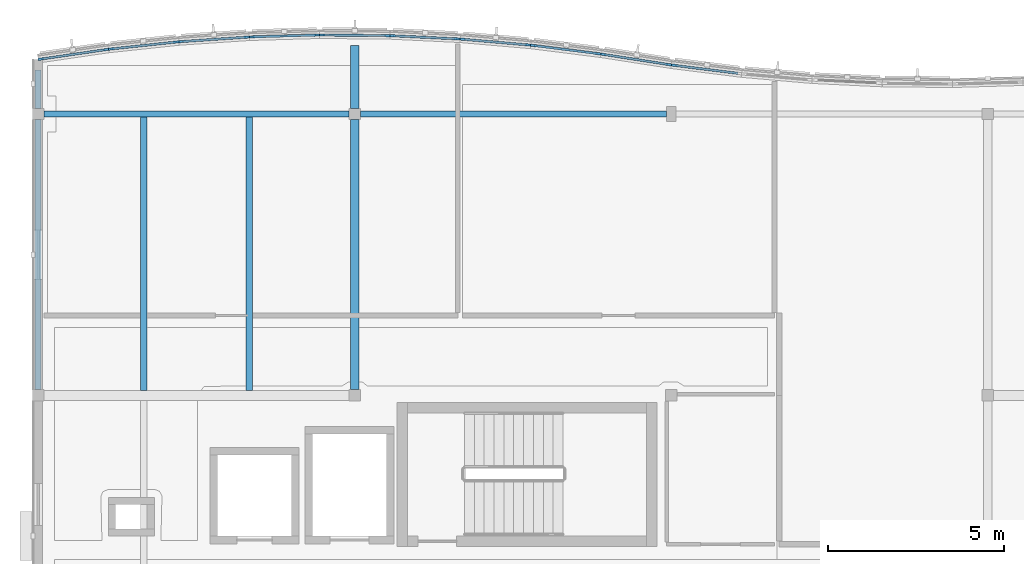
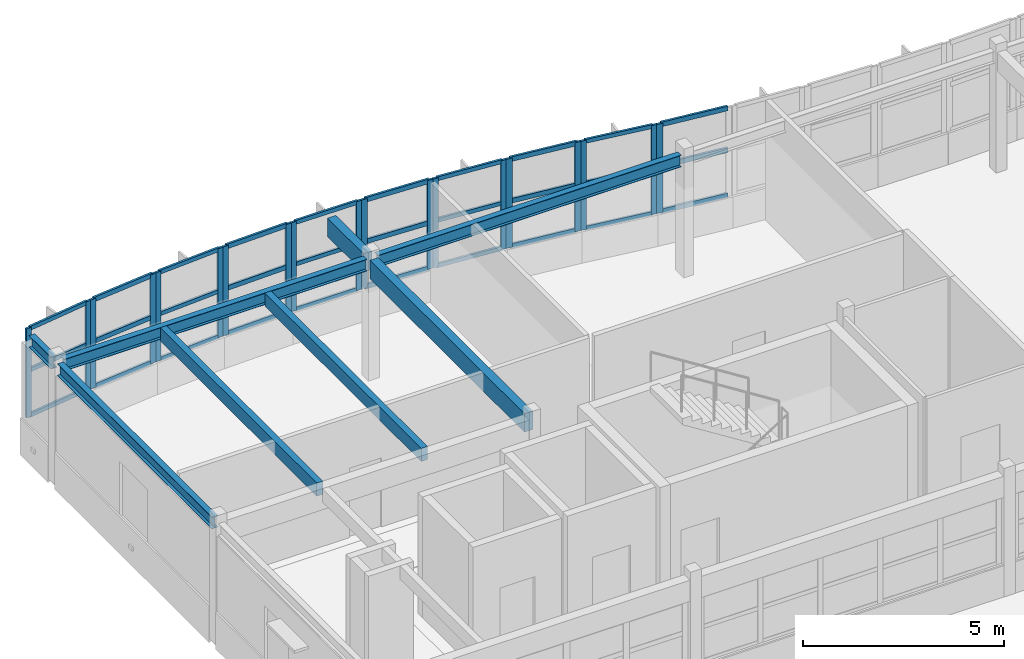
# One storey, part 4 of 33: 49 members, 8 beams, 10 elements without a shape of their own.
"""IFC4 building model written with IfcOpenShell, lengths in metres."""

from ifc_helpers import new_model, si_unit, direction, frame, origin, origin_2d, place, context, subcontext, project, spatial, rectangle, i_section, extrude, material, layer, layer_set, material_profile, profile_set, type_object, element, aggregate, save


model = new_model("IFC4")

# Units and contexts
model_context = context("Model", 3, precision=1e-05, world=origin(), true_north=direction((0.0, 1.0)))
body_context = subcontext(model_context, "Body", "Model", "MODEL_VIEW")
ifc_project = project(units=[si_unit("LENGTHUNIT", "METRE"), si_unit("AREAUNIT", "SQUARE_METRE"), si_unit("VOLUMEUNIT", "CUBIC_METRE"), si_unit("PLANEANGLEUNIT", "RADIAN"), si_unit("MASSUNIT", "GRAM", prefix="KILO")], contexts=[model_context])

# Site, building, storey
site_placement = place(None, origin())
site = spatial("IfcSite", under=ifc_project, at=site_placement, CompositionType="ELEMENT")
building_placement = place(site_placement, origin())
building = spatial("IfcBuilding", under=site, at=building_placement, Name="Tonlespit Floodbar School", CompositionType="ELEMENT")
storey_placement = place(building_placement, frame((0.0, 0.0, 16.199951171875)))
storey = spatial("IfcBuildingStorey", under=building, at=storey_placement, Name="L04", CompositionType="ELEMENT", Elevation=16.199951171875)

# Beams
ifc_material_1 = material(Name="Glulam GL28h", Category="wood")
ifc_material_profile_1 = material_profile(ifc_material_1, rectangle(XDim=0.239990234375, YDim=0.56005859375, at=origin_2d()), Name="GL 240x560")
ifc_profile_set_1 = profile_set([ifc_material_profile_1], Name="Glulam GL28h")
beam_type_1 = type_object("IfcBeamType", Name="Beam_GL_240x560", PredefinedType="BEAM", material=ifc_profile_set_1)
beam_1_placement = place(storey_placement, frame((53.0, 112.159912109375, 3.3701171875), z_axis=(0.0, 1.0, 0.0), x_axis=(-1.0, 0.0, 0.0)))
element("IfcBeam", 1, at=beam_1_placement, inside=storey, type_object=beam_type_1, Name="L04 girder 1311", PredefinedType="BEAM", context=body_context, shape_type="SweptSolid", body=[
    extrude(rectangle(XDim=0.239990234375, YDim=0.56005859375, at=origin_2d()), origin(), (0.0, 0.0, 1.0), 7.68017578125),
])
beam_2_placement = place(storey_placement, frame((53.0, 120.159912109375, 3.3701171875), z_axis=(0.0, 1.0, 0.0), x_axis=(-1.0, 0.0, 0.0)))
element("IfcBeam", 2, at=beam_2_placement, inside=storey, type_object=beam_type_1, Name="L04 north street wave cantilever bracket", PredefinedType="BEAM", context=body_context, shape_type="SweptSolid", body=[
    extrude(rectangle(XDim=0.239990234375, YDim=0.56005859375, at=origin_2d()), origin(), (0.0, 0.0, 1.0), 1.787109375),
])

# Curtain wall, members
ifc_material_2 = material(Name="Anodised Aluminium", Category="aluminium")
ifc_layer_1 = layer(ifc_material_2, 0.159912109375)
ifc_layer_set_1 = layer_set([ifc_layer_1], Name="Anodised Aluminium")
curtain_wall_type_1 = type_object("IfcCurtainWallType", Name="CurtainWall_1950x2700", PredefinedType="NOTDEFINED", material=ifc_layer_set_1)
curtain_wall_1_placement = place(storey_placement, origin())
curtain_wall_1 = element("IfcCurtainWall", 3, at=curtain_wall_1_placement, inside=storey, type_object=curtain_wall_type_1, Name="L04 unitised curtain wall 0166", PredefinedType="NOTDEFINED")
ifc_material_profile_2 = material_profile(ifc_material_2, rectangle(XDim=0.06494140625, YDim=0.14990234375, at=origin_2d()), Name="ALU M65x150")
ifc_profile_set_2 = profile_set([ifc_material_profile_2], Name="Anodised Aluminium")
member_type_1 = type_object("IfcMemberType", Name="CW_Mullion_65x150", PredefinedType="MULLION", material=ifc_profile_set_2)
member_1_placement = place(storey_placement, frame((44.07177734375, 121.560546875, 0.949951171875), z_axis=(0.0, 0.0, 1.0), x_axis=(-0.144248041079, 0.989541561858, 0.0)))
member_1 = element("IfcMember", 4, at=member_1_placement, type_object=member_type_1, Name="CW-04 mullion 1", PredefinedType="MULLION", context=body_context, shape_type="SweptSolid", body=[
    extrude(rectangle(XDim=0.06494140625, YDim=0.14990234375, at=origin_2d()), origin(), (0.0, 0.0, 1.0), 2.7001953125),
])
member_2_placement = place(storey_placement, frame((45.92822265625, 121.8310546875, 0.949951171875), z_axis=(0.0, 0.0, 1.0), x_axis=(-0.144248041079, 0.989541561858, 0.0)))
member_2 = element("IfcMember", 5, at=member_2_placement, type_object=member_type_1, Name="CW-04 mullion 2", PredefinedType="MULLION", context=body_context, shape_type="SweptSolid", body=[
    extrude(rectangle(XDim=0.06494140625, YDim=0.14990234375, at=origin_2d()), origin(), (0.0, 0.0, 1.0), 2.7001953125),
])

ifc_layer_2 = layer(ifc_material_2, 0.159912109375)
ifc_layer_set_2 = layer_set([ifc_layer_2], Name="Anodised Aluminium")
curtain_wall_type_2 = type_object("IfcCurtainWallType", Name="CurtainWall_1900x2700", PredefinedType="NOTDEFINED", material=ifc_layer_set_2)
curtain_wall_2_placement = place(storey_placement, origin())
curtain_wall_2 = element("IfcCurtainWall", 6, at=curtain_wall_2_placement, inside=storey, type_object=curtain_wall_type_2, Name="L04 unitised curtain wall 0168", PredefinedType="NOTDEFINED")
member_3_placement = place(storey_placement, frame((48.072265625, 122.05908203125, 0.949951171875), z_axis=(0.0, 0.0, 1.0), x_axis=(-0.067339767311, 0.99773010165, 0.0)))
member_3 = element("IfcMember", 7, at=member_3_placement, type_object=member_type_1, Name="CW-05 mullion 1", PredefinedType="MULLION", context=body_context, shape_type="SweptSolid", body=[
    extrude(rectangle(XDim=0.06494140625, YDim=0.14990234375, at=origin_2d()), origin(), (0.0, 0.0, 1.0), 2.7001953125),
])
member_4_placement = place(storey_placement, frame((49.927734375, 122.184326171875, 0.949951171875), z_axis=(0.0, 0.0, 1.0), x_axis=(-0.067339767311, 0.99773010165, 0.0)))
member_4 = element("IfcMember", 8, at=member_4_placement, type_object=member_type_1, Name="CW-05 mullion 2", PredefinedType="MULLION", context=body_context, shape_type="SweptSolid", body=[
    extrude(rectangle(XDim=0.06494140625, YDim=0.14990234375, at=origin_2d()), origin(), (0.0, 0.0, 1.0), 2.7001953125),
])

curtain_wall_3_placement = place(storey_placement, origin())
curtain_wall_3 = element("IfcCurtainWall", 9, at=curtain_wall_3_placement, inside=storey, type_object=curtain_wall_type_2, Name="L04 unitised curtain wall 0170", PredefinedType="NOTDEFINED")
member_5_placement = place(storey_placement, frame((52.072509765625, 122.246337890625, 0.949951171875), z_axis=(0.0, 0.0, 1.0), x_axis=(0.009582893292, 0.999954083024, 0.0)))
member_5 = element("IfcMember", 10, at=member_5_placement, type_object=member_type_1, Name="CW-05 mullion 1", PredefinedType="MULLION", context=body_context, shape_type="SweptSolid", body=[
    extrude(rectangle(XDim=0.06494140625, YDim=0.14990234375, at=origin_2d()), origin(), (0.0, 0.0, 1.0), 2.7001953125),
])
member_6_placement = place(storey_placement, frame((53.927490234375, 122.228515625, 0.949951171875), z_axis=(0.0, 0.0, 1.0), x_axis=(0.009582893292, 0.999954083024, 0.0)))
member_6 = element("IfcMember", 11, at=member_6_placement, type_object=member_type_1, Name="CW-05 mullion 2", PredefinedType="MULLION", context=body_context, shape_type="SweptSolid", body=[
    extrude(rectangle(XDim=0.06494140625, YDim=0.14990234375, at=origin_2d()), origin(), (0.0, 0.0, 1.0), 2.7001953125),
])

curtain_wall_4_placement = place(storey_placement, origin())
curtain_wall_4 = element("IfcCurtainWall", 12, at=curtain_wall_4_placement, inside=storey, type_object=curtain_wall_type_1, Name="L04 unitised curtain wall 0172", PredefinedType="NOTDEFINED")
member_7_placement = place(storey_placement, frame((56.072265625, 122.125244140625, 0.949951171875), z_axis=(0.0, 0.0, 1.0), x_axis=(0.086531117454, 0.996249148412, 0.0)))
member_7 = element("IfcMember", 13, at=member_7_placement, type_object=member_type_1, Name="CW-04 mullion 1", PredefinedType="MULLION", context=body_context, shape_type="SweptSolid", body=[
    extrude(rectangle(XDim=0.06494140625, YDim=0.14990234375, at=origin_2d()), origin(), (0.0, 0.0, 1.0), 2.7001953125),
])
member_8_placement = place(storey_placement, frame((57.927734375, 121.964111328125, 0.949951171875), z_axis=(0.0, 0.0, 1.0), x_axis=(0.086531117454, 0.996249148412, 0.0)))
member_8 = element("IfcMember", 14, at=member_8_placement, type_object=member_type_1, Name="CW-04 mullion 2", PredefinedType="MULLION", context=body_context, shape_type="SweptSolid", body=[
    extrude(rectangle(XDim=0.06494140625, YDim=0.14990234375, at=origin_2d()), origin(), (0.0, 0.0, 1.0), 2.7001953125),
])

curtain_wall_5_placement = place(storey_placement, origin())
curtain_wall_5 = element("IfcCurtainWall", 15, at=curtain_wall_5_placement, inside=storey, type_object=curtain_wall_type_1, Name="L04 unitised curtain wall 0174", PredefinedType="NOTDEFINED")
member_9_placement = place(storey_placement, frame((60.071533203125, 121.694580078125, 0.949951171875), z_axis=(0.0, 0.0, 1.0), x_axis=(0.153796288585, 0.988102576465, 0.0)))
member_9 = element("IfcMember", 16, at=member_9_placement, type_object=member_type_1, Name="CW-04 mullion 1", PredefinedType="MULLION", context=body_context, shape_type="SweptSolid", body=[
    extrude(rectangle(XDim=0.06494140625, YDim=0.14990234375, at=origin_2d()), origin(), (0.0, 0.0, 1.0), 2.7001953125),
])
member_10_placement = place(storey_placement, frame((61.928466796875, 121.405517578125, 0.949951171875), z_axis=(0.0, 0.0, 1.0), x_axis=(0.153796288585, 0.988102576465, 0.0)))
member_10 = element("IfcMember", 17, at=member_10_placement, type_object=member_type_1, Name="CW-04 mullion 2", PredefinedType="MULLION", context=body_context, shape_type="SweptSolid", body=[
    extrude(rectangle(XDim=0.06494140625, YDim=0.14990234375, at=origin_2d()), origin(), (0.0, 0.0, 1.0), 2.7001953125),
])

curtain_wall_6_placement = place(storey_placement, origin())
curtain_wall_6 = element("IfcCurtainWall", 18, at=curtain_wall_6_placement, inside=storey, type_object=curtain_wall_type_1, Name="L04 unitised curtain wall 0167", PredefinedType="NOTDEFINED")
ifc_material_profile_3 = material_profile(ifc_material_2, rectangle(XDim=0.06494140625, YDim=0.179931640625, at=origin_2d()), Name="ALU M65x180")
ifc_profile_set_3 = profile_set([ifc_material_profile_3], Name="Anodised Aluminium")
member_type_2 = type_object("IfcMemberType", Name="CW_Mullion_65x180", PredefinedType="MULLION", material=ifc_profile_set_3)
member_11_placement = place(storey_placement, frame((46.072021484375, 121.84912109375, 0.949951171875), z_axis=(0.0, 0.0, 1.0), x_axis=(-0.105787143968, 0.994388797288, 0.0)))
member_11 = element("IfcMember", 19, at=member_11_placement, type_object=member_type_2, Name="CW-04 mullion 1", PredefinedType="MULLION", context=body_context, shape_type="SweptSolid", body=[
    extrude(rectangle(XDim=0.06494140625, YDim=0.179931640625, at=origin_2d()), origin(), (0.0, 0.0, 1.0), 2.7001953125),
])
member_12_placement = place(storey_placement, frame((47.927978515625, 122.046630859375, 0.949951171875), z_axis=(0.0, 0.0, 1.0), x_axis=(-0.105787143968, 0.994388797288, 0.0)))
member_12 = element("IfcMember", 20, at=member_12_placement, type_object=member_type_2, Name="CW-04 mullion 2", PredefinedType="MULLION", context=body_context, shape_type="SweptSolid", body=[
    extrude(rectangle(XDim=0.06494140625, YDim=0.179931640625, at=origin_2d()), origin(), (0.0, 0.0, 1.0), 2.7001953125),
])

curtain_wall_7_placement = place(storey_placement, origin())
curtain_wall_7 = element("IfcCurtainWall", 21, at=curtain_wall_7_placement, inside=storey, type_object=curtain_wall_type_2, Name="L04 unitised curtain wall 0169", PredefinedType="NOTDEFINED")
member_13_placement = place(storey_placement, frame((50.072509765625, 122.19140625, 0.949951171875), z_axis=(0.0, 0.0, 1.0), x_axis=(-0.028790144226, 0.999585477883, 0.0)))
member_13 = element("IfcMember", 22, at=member_13_placement, type_object=member_type_2, Name="CW-05 mullion 1", PredefinedType="MULLION", context=body_context, shape_type="SweptSolid", body=[
    extrude(rectangle(XDim=0.06494140625, YDim=0.179931640625, at=origin_2d()), origin(), (0.0, 0.0, 1.0), 2.7001953125),
])
member_14_placement = place(storey_placement, frame((51.927490234375, 122.244873046875, 0.949951171875), z_axis=(0.0, 0.0, 1.0), x_axis=(-0.028790144226, 0.999585477883, 0.0)))
member_14 = element("IfcMember", 23, at=member_14_placement, type_object=member_type_2, Name="CW-05 mullion 2", PredefinedType="MULLION", context=body_context, shape_type="SweptSolid", body=[
    extrude(rectangle(XDim=0.06494140625, YDim=0.179931640625, at=origin_2d()), origin(), (0.0, 0.0, 1.0), 2.7001953125),
])

curtain_wall_8_placement = place(storey_placement, origin())
curtain_wall_8 = element("IfcCurtainWall", 24, at=curtain_wall_8_placement, inside=storey, type_object=curtain_wall_type_2, Name="L04 unitised curtain wall 0171", PredefinedType="NOTDEFINED")
member_15_placement = place(storey_placement, frame((54.072509765625, 122.224365234375, 0.949951171875), z_axis=(0.0, 0.0, 1.0), x_axis=(0.048121270216, 0.998841500616, 0.0)))
member_15 = element("IfcMember", 25, at=member_15_placement, type_object=member_type_2, Name="CW-05 mullion 1", PredefinedType="MULLION", context=body_context, shape_type="SweptSolid", body=[
    extrude(rectangle(XDim=0.06494140625, YDim=0.179931640625, at=origin_2d()), origin(), (0.0, 0.0, 1.0), 2.7001953125),
])
member_16_placement = place(storey_placement, frame((55.927490234375, 122.135009765625, 0.949951171875), z_axis=(0.0, 0.0, 1.0), x_axis=(0.048121270216, 0.998841500616, 0.0)))
member_16 = element("IfcMember", 26, at=member_16_placement, type_object=member_type_2, Name="CW-05 mullion 2", PredefinedType="MULLION", context=body_context, shape_type="SweptSolid", body=[
    extrude(rectangle(XDim=0.06494140625, YDim=0.179931640625, at=origin_2d()), origin(), (0.0, 0.0, 1.0), 2.7001953125),
])

curtain_wall_9_placement = place(storey_placement, origin())
curtain_wall_9 = element("IfcCurtainWall", 27, at=curtain_wall_9_placement, inside=storey, type_object=curtain_wall_type_1, Name="L04 unitised curtain wall 0173", PredefinedType="NOTDEFINED")
member_17_placement = place(storey_placement, frame((58.072021484375, 121.94873046875, 0.949951171875), z_axis=(0.0, 0.0, 1.0), x_axis=(0.125013803299, 0.992155002499, 0.0)))
member_17 = element("IfcMember", 28, at=member_17_placement, type_object=member_type_2, Name="CW-04 mullion 1", PredefinedType="MULLION", context=body_context, shape_type="SweptSolid", body=[
    extrude(rectangle(XDim=0.06494140625, YDim=0.179931640625, at=origin_2d()), origin(), (0.0, 0.0, 1.0), 2.7001953125),
])
member_18_placement = place(storey_placement, frame((59.927978515625, 121.71484375, 0.949951171875), z_axis=(0.0, 0.0, 1.0), x_axis=(0.125013803299, 0.992155002499, 0.0)))
member_18 = element("IfcMember", 29, at=member_18_placement, type_object=member_type_2, Name="CW-04 mullion 2", PredefinedType="MULLION", context=body_context, shape_type="SweptSolid", body=[
    extrude(rectangle(XDim=0.06494140625, YDim=0.179931640625, at=origin_2d()), origin(), (0.0, 0.0, 1.0), 2.7001953125),
])

# Curtain wall, member
curtain_wall_10_placement = place(storey_placement, origin())
curtain_wall_10 = element("IfcCurtainWall", 30, at=curtain_wall_10_placement, inside=storey, type_object=curtain_wall_type_1, Name="L04 unitised curtain wall 0175", PredefinedType="NOTDEFINED")
member_19_placement = place(storey_placement, frame((62.072021484375, 121.38525390625, 0.949951171875), z_axis=(0.0, 0.0, 1.0), x_axis=(0.125013803299, 0.992155002499, 0.0)))
member_19 = element("IfcMember", 31, at=member_19_placement, type_object=member_type_2, Name="CW-04 mullion 1", PredefinedType="MULLION", context=body_context, shape_type="SweptSolid", body=[
    extrude(rectangle(XDim=0.06494140625, YDim=0.179931640625, at=origin_2d()), origin(), (0.0, 0.0, 1.0), 2.7001953125),
])

# Member
ifc_material_profile_4 = material_profile(ifc_material_2, rectangle(XDim=0.06494140625, YDim=0.1201171875, at=origin_2d()), Name="ALU T65x120")
ifc_profile_set_4 = profile_set([ifc_material_profile_4], Name="Anodised Aluminium")
member_type_3 = type_object("IfcMemberType", Name="CW_Transom_65x120", PredefinedType="USERDEFINED", material=ifc_profile_set_4)
member_20_placement = place(storey_placement, frame((44.10400390625, 121.565185546875, 0.982666015625), z_axis=(0.989541000818, 0.144251889765, 0.0), x_axis=(-0.144251889765, 0.989541000818, 0.0)))
member_20 = element("IfcMember", 32, at=member_20_placement, type_object=member_type_3, Name="CW-04 transom 1.1", ObjectType="TRANSOM", PredefinedType="USERDEFINED", context=body_context, shape_type="SweptSolid", body=[
    extrude(rectangle(XDim=0.06494140625, YDim=0.1201171875, at=origin_2d()), origin(), (0.0, 0.0, 1.0), 1.81103515625),
])

member_21_placement = place(storey_placement, frame((44.10400390625, 121.565185546875, 2.35400390625), z_axis=(0.989541000818, 0.144251889765, 0.0), x_axis=(-0.144251889765, 0.989541000818, 0.0)))
member_21 = element("IfcMember", 33, at=member_21_placement, type_object=member_type_3, Name="CW-04 transom 1.2", ObjectType="TRANSOM", PredefinedType="USERDEFINED", context=body_context, shape_type="SweptSolid", body=[
    extrude(rectangle(XDim=0.06494140625, YDim=0.1201171875, at=origin_2d()), origin(), (0.0, 0.0, 1.0), 1.81103515625),
])

member_22_placement = place(storey_placement, frame((44.10400390625, 121.565185546875, 3.617431640625), z_axis=(0.989541000818, 0.144251889765, 0.0), x_axis=(-0.144251889765, 0.989541000818, 0.0)))
member_22 = element("IfcMember", 34, at=member_22_placement, type_object=member_type_3, Name="CW-04 transom 1.3", ObjectType="TRANSOM", PredefinedType="USERDEFINED", context=body_context, shape_type="SweptSolid", body=[
    extrude(rectangle(XDim=0.06494140625, YDim=0.1201171875, at=origin_2d()), origin(), (0.0, 0.0, 1.0), 1.81103515625),
])

aggregate(curtain_wall_1, [member_1, member_2, member_20, member_21, member_22])

member_23_placement = place(storey_placement, frame((48.104736328125, 122.061279296875, 0.982666015625), z_axis=(0.997730041674, 0.067340655935, 0.0), x_axis=(-0.067340655935, 0.997730041674, 0.0)))
member_23 = element("IfcMember", 35, at=member_23_placement, type_object=member_type_3, Name="CW-05 transom 1.1", ObjectType="TRANSOM", PredefinedType="USERDEFINED", context=body_context, shape_type="SweptSolid", body=[
    extrude(rectangle(XDim=0.06494140625, YDim=0.1201171875, at=origin_2d()), origin(), (0.0, 0.0, 1.0), 1.794677734375),
])

member_24_placement = place(storey_placement, frame((48.104736328125, 122.061279296875, 2.35400390625), z_axis=(0.997730041674, 0.067340655935, 0.0), x_axis=(-0.067340655935, 0.997730041674, 0.0)))
member_24 = element("IfcMember", 36, at=member_24_placement, type_object=member_type_3, Name="CW-05 transom 1.2", ObjectType="TRANSOM", PredefinedType="USERDEFINED", context=body_context, shape_type="SweptSolid", body=[
    extrude(rectangle(XDim=0.06494140625, YDim=0.1201171875, at=origin_2d()), origin(), (0.0, 0.0, 1.0), 1.794677734375),
])

member_25_placement = place(storey_placement, frame((48.104736328125, 122.061279296875, 3.617431640625), z_axis=(0.997730041674, 0.067340655935, 0.0), x_axis=(-0.067340655935, 0.997730041674, 0.0)))
member_25 = element("IfcMember", 37, at=member_25_placement, type_object=member_type_3, Name="CW-05 transom 1.3", ObjectType="TRANSOM", PredefinedType="USERDEFINED", context=body_context, shape_type="SweptSolid", body=[
    extrude(rectangle(XDim=0.06494140625, YDim=0.1201171875, at=origin_2d()), origin(), (0.0, 0.0, 1.0), 1.794677734375),
])

aggregate(curtain_wall_2, [member_3, member_4, member_23, member_24, member_25])

member_26_placement = place(storey_placement, frame((52.10498046875, 122.24609375, 0.982666015625), z_axis=(0.999953117448, -0.009683124842, 0.0), x_axis=(0.009683124842, 0.999953117448, 0.0)))
member_26 = element("IfcMember", 38, at=member_26_placement, type_object=member_type_3, Name="CW-05 transom 1.1", ObjectType="TRANSOM", PredefinedType="USERDEFINED", context=body_context, shape_type="SweptSolid", body=[
    extrude(rectangle(XDim=0.06494140625, YDim=0.1201171875, at=origin_2d()), origin(), (0.0, 0.0, 1.0), 1.7900390625),
])

member_27_placement = place(storey_placement, frame((52.10498046875, 122.24609375, 2.35400390625), z_axis=(0.999953117448, -0.009683124842, 0.0), x_axis=(0.009683124842, 0.999953117448, 0.0)))
member_27 = element("IfcMember", 39, at=member_27_placement, type_object=member_type_3, Name="CW-05 transom 1.2", ObjectType="TRANSOM", PredefinedType="USERDEFINED", context=body_context, shape_type="SweptSolid", body=[
    extrude(rectangle(XDim=0.06494140625, YDim=0.1201171875, at=origin_2d()), origin(), (0.0, 0.0, 1.0), 1.7900390625),
])

member_28_placement = place(storey_placement, frame((52.10498046875, 122.24609375, 3.617431640625), z_axis=(0.999953117448, -0.009683124842, 0.0), x_axis=(0.009683124842, 0.999953117448, 0.0)))
member_28 = element("IfcMember", 40, at=member_28_placement, type_object=member_type_3, Name="CW-05 transom 1.3", ObjectType="TRANSOM", PredefinedType="USERDEFINED", context=body_context, shape_type="SweptSolid", body=[
    extrude(rectangle(XDim=0.06494140625, YDim=0.1201171875, at=origin_2d()), origin(), (0.0, 0.0, 1.0), 1.7900390625),
])

aggregate(curtain_wall_3, [member_5, member_6, member_26, member_27, member_28])

member_29_placement = place(storey_placement, frame((56.1044921875, 122.122314453125, 0.982666015625), z_axis=(0.996251281774, -0.086506552139, 0.0), x_axis=(0.086506552139, 0.996251281774, 0.0)))
member_29 = element("IfcMember", 41, at=member_29_placement, type_object=member_type_3, Name="CW-04 transom 1.1", ObjectType="TRANSOM", PredefinedType="USERDEFINED", context=body_context, shape_type="SweptSolid", body=[
    extrude(rectangle(XDim=0.06494140625, YDim=0.1201171875, at=origin_2d()), origin(), (0.0, 0.0, 1.0), 1.7978515625),
])

member_30_placement = place(storey_placement, frame((56.1044921875, 122.122314453125, 2.35400390625), z_axis=(0.996251281774, -0.086506552139, 0.0), x_axis=(0.086506552139, 0.996251281774, 0.0)))
member_30 = element("IfcMember", 42, at=member_30_placement, type_object=member_type_3, Name="CW-04 transom 1.2", ObjectType="TRANSOM", PredefinedType="USERDEFINED", context=body_context, shape_type="SweptSolid", body=[
    extrude(rectangle(XDim=0.06494140625, YDim=0.1201171875, at=origin_2d()), origin(), (0.0, 0.0, 1.0), 1.7978515625),
])

member_31_placement = place(storey_placement, frame((56.1044921875, 122.122314453125, 3.617431640625), z_axis=(0.996251281774, -0.086506552139, 0.0), x_axis=(0.086506552139, 0.996251281774, 0.0)))
member_31 = element("IfcMember", 43, at=member_31_placement, type_object=member_type_3, Name="CW-04 transom 1.3", ObjectType="TRANSOM", PredefinedType="USERDEFINED", context=body_context, shape_type="SweptSolid", body=[
    extrude(rectangle(XDim=0.06494140625, YDim=0.1201171875, at=origin_2d()), origin(), (0.0, 0.0, 1.0), 1.7978515625),
])

aggregate(curtain_wall_4, [member_7, member_8, member_29, member_30, member_31])

member_32_placement = place(storey_placement, frame((60.103759765625, 121.689453125, 0.982666015625), z_axis=(0.988097838313, -0.15382672694, 0.0), x_axis=(0.15382672694, 0.988097838313, 0.0)))
member_32 = element("IfcMember", 44, at=member_32_placement, type_object=member_type_3, Name="CW-04 transom 1.1", ObjectType="TRANSOM", PredefinedType="USERDEFINED", context=body_context, shape_type="SweptSolid", body=[
    extrude(rectangle(XDim=0.06494140625, YDim=0.1201171875, at=origin_2d()), origin(), (0.0, 0.0, 1.0), 1.81396484375),
])

member_33_placement = place(storey_placement, frame((60.103759765625, 121.689453125, 2.35400390625), z_axis=(0.988097838313, -0.15382672694, 0.0), x_axis=(0.15382672694, 0.988097838313, 0.0)))
member_33 = element("IfcMember", 45, at=member_33_placement, type_object=member_type_3, Name="CW-04 transom 1.2", ObjectType="TRANSOM", PredefinedType="USERDEFINED", context=body_context, shape_type="SweptSolid", body=[
    extrude(rectangle(XDim=0.06494140625, YDim=0.1201171875, at=origin_2d()), origin(), (0.0, 0.0, 1.0), 1.81396484375),
])

member_34_placement = place(storey_placement, frame((60.103759765625, 121.689453125, 3.617431640625), z_axis=(0.988097838313, -0.15382672694, 0.0), x_axis=(0.15382672694, 0.988097838313, 0.0)))
member_34 = element("IfcMember", 46, at=member_34_placement, type_object=member_type_3, Name="CW-04 transom 1.3", ObjectType="TRANSOM", PredefinedType="USERDEFINED", context=body_context, shape_type="SweptSolid", body=[
    extrude(rectangle(XDim=0.06494140625, YDim=0.1201171875, at=origin_2d()), origin(), (0.0, 0.0, 1.0), 1.81396484375),
])

aggregate(curtain_wall_5, [member_9, member_10, member_32, member_33, member_34])

ifc_material_profile_5 = material_profile(ifc_material_2, rectangle(XDim=0.06494140625, YDim=0.139892578125, at=origin_2d()), Name="ALU T65x140")
ifc_profile_set_5 = profile_set([ifc_material_profile_5], Name="Anodised Aluminium")
member_type_4 = type_object("IfcMemberType", Name="CW_Transom_65x140", PredefinedType="USERDEFINED", material=ifc_profile_set_5)
member_35_placement = place(storey_placement, frame((46.1044921875, 121.852783203125, 0.982666015625), z_axis=(0.994394979136, 0.105729019047, 0.0), x_axis=(-0.105729019047, 0.994394979136, 0.0)))
member_35 = element("IfcMember", 47, at=member_35_placement, type_object=member_type_4, Name="CW-04 transom 1.1", ObjectType="TRANSOM", PredefinedType="USERDEFINED", context=body_context, shape_type="SweptSolid", body=[
    extrude(rectangle(XDim=0.06494140625, YDim=0.139892578125, at=origin_2d()), origin(), (0.0, 0.0, 1.0), 1.801025390625),
])

member_36_placement = place(storey_placement, frame((46.1044921875, 121.852783203125, 2.35400390625), z_axis=(0.994394979136, 0.105729019047, 0.0), x_axis=(-0.105729019047, 0.994394979136, 0.0)))
member_36 = element("IfcMember", 48, at=member_36_placement, type_object=member_type_4, Name="CW-04 transom 1.2", ObjectType="TRANSOM", PredefinedType="USERDEFINED", context=body_context, shape_type="SweptSolid", body=[
    extrude(rectangle(XDim=0.06494140625, YDim=0.139892578125, at=origin_2d()), origin(), (0.0, 0.0, 1.0), 1.801025390625),
])

member_37_placement = place(storey_placement, frame((46.1044921875, 121.852783203125, 3.617431640625), z_axis=(0.994394979136, 0.105729019047, 0.0), x_axis=(-0.105729019047, 0.994394979136, 0.0)))
member_37 = element("IfcMember", 49, at=member_37_placement, type_object=member_type_4, Name="CW-04 transom 1.3", ObjectType="TRANSOM", PredefinedType="USERDEFINED", context=body_context, shape_type="SweptSolid", body=[
    extrude(rectangle(XDim=0.06494140625, YDim=0.139892578125, at=origin_2d()), origin(), (0.0, 0.0, 1.0), 1.801025390625),
])

aggregate(curtain_wall_6, [member_11, member_12, member_35, member_36, member_37])

member_38_placement = place(storey_placement, frame((50.10498046875, 122.1923828125, 0.982666015625), z_axis=(0.999586171543, 0.02876605049, 0.0), x_axis=(-0.02876605049, 0.999586171543, 0.0)))
member_38 = element("IfcMember", 50, at=member_38_placement, type_object=member_type_4, Name="CW-05 transom 1.1", ObjectType="TRANSOM", PredefinedType="USERDEFINED", context=body_context, shape_type="SweptSolid", body=[
    extrude(rectangle(XDim=0.06494140625, YDim=0.139892578125, at=origin_2d()), origin(), (0.0, 0.0, 1.0), 1.790771484375),
])

member_39_placement = place(storey_placement, frame((50.10498046875, 122.1923828125, 2.35400390625), z_axis=(0.999586171543, 0.02876605049, 0.0), x_axis=(-0.02876605049, 0.999586171543, 0.0)))
member_39 = element("IfcMember", 51, at=member_39_placement, type_object=member_type_4, Name="CW-05 transom 1.2", ObjectType="TRANSOM", PredefinedType="USERDEFINED", context=body_context, shape_type="SweptSolid", body=[
    extrude(rectangle(XDim=0.06494140625, YDim=0.139892578125, at=origin_2d()), origin(), (0.0, 0.0, 1.0), 1.790771484375),
])

member_40_placement = place(storey_placement, frame((50.10498046875, 122.1923828125, 3.617431640625), z_axis=(0.999586171543, 0.02876605049, 0.0), x_axis=(-0.02876605049, 0.999586171543, 0.0)))
member_40 = element("IfcMember", 52, at=member_40_placement, type_object=member_type_4, Name="CW-05 transom 1.3", ObjectType="TRANSOM", PredefinedType="USERDEFINED", context=body_context, shape_type="SweptSolid", body=[
    extrude(rectangle(XDim=0.06494140625, YDim=0.139892578125, at=origin_2d()), origin(), (0.0, 0.0, 1.0), 1.790771484375),
])

aggregate(curtain_wall_7, [member_13, member_14, member_38, member_39, member_40])

member_41_placement = place(storey_placement, frame((54.10498046875, 122.22265625, 0.982666015625), z_axis=(0.998843034795, -0.048089415069, 0.0), x_axis=(0.048089415069, 0.998843034795, 0.0)))
member_41 = element("IfcMember", 53, at=member_41_placement, type_object=member_type_4, Name="CW-05 transom 1.1", ObjectType="TRANSOM", PredefinedType="USERDEFINED", context=body_context, shape_type="SweptSolid", body=[
    extrude(rectangle(XDim=0.06494140625, YDim=0.139892578125, at=origin_2d()), origin(), (0.0, 0.0, 1.0), 1.7919921875),
])

member_42_placement = place(storey_placement, frame((54.10498046875, 122.22265625, 2.35400390625), z_axis=(0.998843034795, -0.048089415069, 0.0), x_axis=(0.048089415069, 0.998843034795, 0.0)))
member_42 = element("IfcMember", 54, at=member_42_placement, type_object=member_type_4, Name="CW-05 transom 1.2", ObjectType="TRANSOM", PredefinedType="USERDEFINED", context=body_context, shape_type="SweptSolid", body=[
    extrude(rectangle(XDim=0.06494140625, YDim=0.139892578125, at=origin_2d()), origin(), (0.0, 0.0, 1.0), 1.7919921875),
])

member_43_placement = place(storey_placement, frame((54.10498046875, 122.22265625, 3.617431640625), z_axis=(0.998843034795, -0.048089415069, 0.0), x_axis=(0.048089415069, 0.998843034795, 0.0)))
member_43 = element("IfcMember", 55, at=member_43_placement, type_object=member_type_4, Name="CW-05 transom 1.3", ObjectType="TRANSOM", PredefinedType="USERDEFINED", context=body_context, shape_type="SweptSolid", body=[
    extrude(rectangle(XDim=0.06494140625, YDim=0.139892578125, at=origin_2d()), origin(), (0.0, 0.0, 1.0), 1.7919921875),
])

aggregate(curtain_wall_8, [member_15, member_16, member_41, member_42, member_43])

member_44_placement = place(storey_placement, frame((58.104248046875, 121.944580078125, 0.982666015625), z_axis=(0.992148373735, -0.125066400341, 0.0), x_axis=(0.125066400341, 0.992148373735, 0.0)))
member_44 = element("IfcMember", 56, at=member_44_placement, type_object=member_type_4, Name="CW-04 transom 1.1", ObjectType="TRANSOM", PredefinedType="USERDEFINED", context=body_context, shape_type="SweptSolid", body=[
    extrude(rectangle(XDim=0.06494140625, YDim=0.139892578125, at=origin_2d()), origin(), (0.0, 0.0, 1.0), 1.8056640625),
])

member_45_placement = place(storey_placement, frame((58.104248046875, 121.944580078125, 2.35400390625), z_axis=(0.992148373735, -0.125066400341, 0.0), x_axis=(0.125066400341, 0.992148373735, 0.0)))
member_45 = element("IfcMember", 57, at=member_45_placement, type_object=member_type_4, Name="CW-04 transom 1.2", ObjectType="TRANSOM", PredefinedType="USERDEFINED", context=body_context, shape_type="SweptSolid", body=[
    extrude(rectangle(XDim=0.06494140625, YDim=0.139892578125, at=origin_2d()), origin(), (0.0, 0.0, 1.0), 1.8056640625),
])

member_46_placement = place(storey_placement, frame((58.104248046875, 121.944580078125, 3.617431640625), z_axis=(0.992148373735, -0.125066400341, 0.0), x_axis=(0.125066400341, 0.992148373735, 0.0)))
member_46 = element("IfcMember", 58, at=member_46_placement, type_object=member_type_4, Name="CW-04 transom 1.3", ObjectType="TRANSOM", PredefinedType="USERDEFINED", context=body_context, shape_type="SweptSolid", body=[
    extrude(rectangle(XDim=0.06494140625, YDim=0.139892578125, at=origin_2d()), origin(), (0.0, 0.0, 1.0), 1.8056640625),
])

aggregate(curtain_wall_9, [member_17, member_18, member_44, member_45, member_46])

member_47_placement = place(storey_placement, frame((62.104248046875, 121.381103515625, 0.982666015625), z_axis=(0.992165142165, -0.124933304901, 0.0), x_axis=(0.124933304901, 0.992165142165, 0.0)))
member_47 = element("IfcMember", 59, at=member_47_placement, type_object=member_type_4, Name="CW-04 transom 1.1", ObjectType="TRANSOM", PredefinedType="USERDEFINED", context=body_context, shape_type="SweptSolid", body=[
    extrude(rectangle(XDim=0.06494140625, YDim=0.139892578125, at=origin_2d()), origin(), (0.0, 0.0, 1.0), 1.8056640625),
])

member_48_placement = place(storey_placement, frame((62.104248046875, 121.381103515625, 2.35400390625), z_axis=(0.992165142165, -0.124933304901, 0.0), x_axis=(0.124933304901, 0.992165142165, 0.0)))
member_48 = element("IfcMember", 60, at=member_48_placement, type_object=member_type_4, Name="CW-04 transom 1.2", ObjectType="TRANSOM", PredefinedType="USERDEFINED", context=body_context, shape_type="SweptSolid", body=[
    extrude(rectangle(XDim=0.06494140625, YDim=0.139892578125, at=origin_2d()), origin(), (0.0, 0.0, 1.0), 1.8056640625),
])

member_49_placement = place(storey_placement, frame((62.104248046875, 121.381103515625, 3.617431640625), z_axis=(0.992165142165, -0.124933304901, 0.0), x_axis=(0.124933304901, 0.992165142165, 0.0)))
member_49 = element("IfcMember", 61, at=member_49_placement, type_object=member_type_4, Name="CW-04 transom 1.3", ObjectType="TRANSOM", PredefinedType="USERDEFINED", context=body_context, shape_type="SweptSolid", body=[
    extrude(rectangle(XDim=0.06494140625, YDim=0.139892578125, at=origin_2d()), origin(), (0.0, 0.0, 1.0), 1.8056640625),
])

aggregate(curtain_wall_10, [member_19, member_47, member_48, member_49])

# Beams
ifc_material_profile_6 = material_profile(ifc_material_1, rectangle(XDim=0.179931640625, YDim=0.39990234375, at=origin_2d()), Name="GL 180x400")
ifc_profile_set_6 = profile_set([ifc_material_profile_6], Name="Glulam GL28h")
beam_type_2 = type_object("IfcBeamType", Name="Joist_GL_180x400", PredefinedType="JOIST", material=ifc_profile_set_6)
for number, where, z_axis, x_axis, name in (
    (62, (47.0, 112.139892578125, 3.449951171875), (0.0, 1.0, 0.0), (-1.0, 0.0, 0.0), "L04 secondary joist 1328"),
    (63, (50.0, 112.139892578125, 3.449951171875), (0.0, 1.0, 0.0), (-1.0, 0.0, 0.0), "L04 secondary joist 1329"),
):
    element("IfcBeam", number, at=place(storey_placement, frame(where, z_axis=z_axis, x_axis=x_axis)), inside=storey, type_object=beam_type_2, Name=name, PredefinedType="JOIST", context=body_context, shape_type="SweptSolid", body=[
        extrude(rectangle(XDim=0.179931640625, YDim=0.39990234375, at=origin_2d()), origin(), (0.0, 0.0, 1.0), 7.775146484375),
    ])
ifc_material_3 = material(Name="Steel S355", Category="steel")
ifc_material_profile_7 = material_profile(ifc_material_3, i_section(OverallWidth=0.169921875, OverallDepth=0.360107421875, WebThickness=0.008056640625, FlangeThickness=0.0126953125, at=origin_2d()), Name="IPE 360")
ifc_profile_set_7 = profile_set([ifc_material_profile_7], Name="Steel S355")
beam_type_3 = type_object("IfcBeamType", Name="Spandrel_STL_IPE360", PredefinedType="SPANDREL", material=ifc_profile_set_7)
beam_3_placement = place(storey_placement, frame((44.159912109375, 120.0, 3.469970703125), z_axis=(1.0, 0.0, 0.0), x_axis=(0.0, 1.0, 0.0)))
element("IfcBeam", 64, at=beam_3_placement, inside=storey, type_object=beam_type_3, Name="L04 girder 1297", PredefinedType="SPANDREL", context=body_context, shape_type="SweptSolid", body=[
    extrude(i_section(OverallWidth=0.169921875, OverallDepth=0.360107421875, WebThickness=0.008056640625, FlangeThickness=0.0126953125, at=origin_2d()), origin(), (0.0, 0.0, 1.0), 8.68017578125),
])
beam_4_placement = place(storey_placement, frame((53.159912109375, 120.0, 3.469970703125), z_axis=(1.0, 0.0, 0.0), x_axis=(0.0, 1.0, 0.0)))
element("IfcBeam", 65, at=beam_4_placement, inside=storey, type_object=beam_type_3, Name="L04 girder 1298", PredefinedType="SPANDREL", context=body_context, shape_type="SweptSolid", body=[
    extrude(i_section(OverallWidth=0.169921875, OverallDepth=0.360107421875, WebThickness=0.008056640625, FlangeThickness=0.0126953125, at=origin_2d()), origin(), (0.0, 0.0, 1.0), 8.7001953125),
])
beam_5_placement = place(storey_placement, frame((44.0, 112.159912109375, 3.469970703125), z_axis=(0.0, 1.0, 0.0), x_axis=(-1.0, 0.0, 0.0)))
element("IfcBeam", 66, at=beam_5_placement, inside=storey, type_object=beam_type_3, Name="L04 girder 1310", PredefinedType="SPANDREL", context=body_context, shape_type="SweptSolid", body=[
    extrude(i_section(OverallWidth=0.169921875, OverallDepth=0.360107421875, WebThickness=0.008056640625, FlangeThickness=0.0126953125, at=origin_2d()), origin(), (0.0, 0.0, 1.0), 7.68017578125),
])
beam_6_placement = place(storey_placement, frame((44.0, 120.159912109375, 3.469970703125), z_axis=(0.0, 1.0, 0.0), x_axis=(-1.0, 0.0, 0.0)))
element("IfcBeam", 67, at=beam_6_placement, inside=storey, type_object=beam_type_3, Name="L04 north street wave cantilever bracket", PredefinedType="SPANDREL", context=body_context, shape_type="SweptSolid", body=[
    extrude(i_section(OverallWidth=0.169921875, OverallDepth=0.360107421875, WebThickness=0.008056640625, FlangeThickness=0.0126953125, at=origin_2d()), origin(), (0.0, 0.0, 1.0), 1.090087890625),
])

save(model, "model.ifc")
